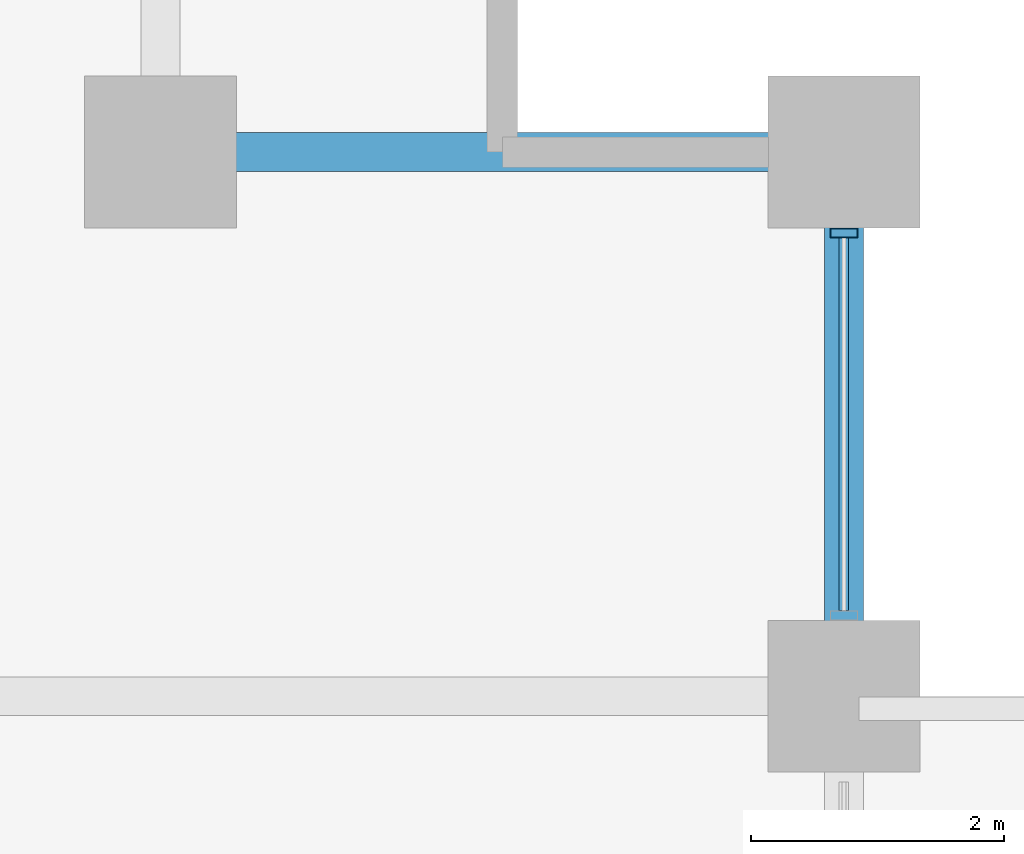
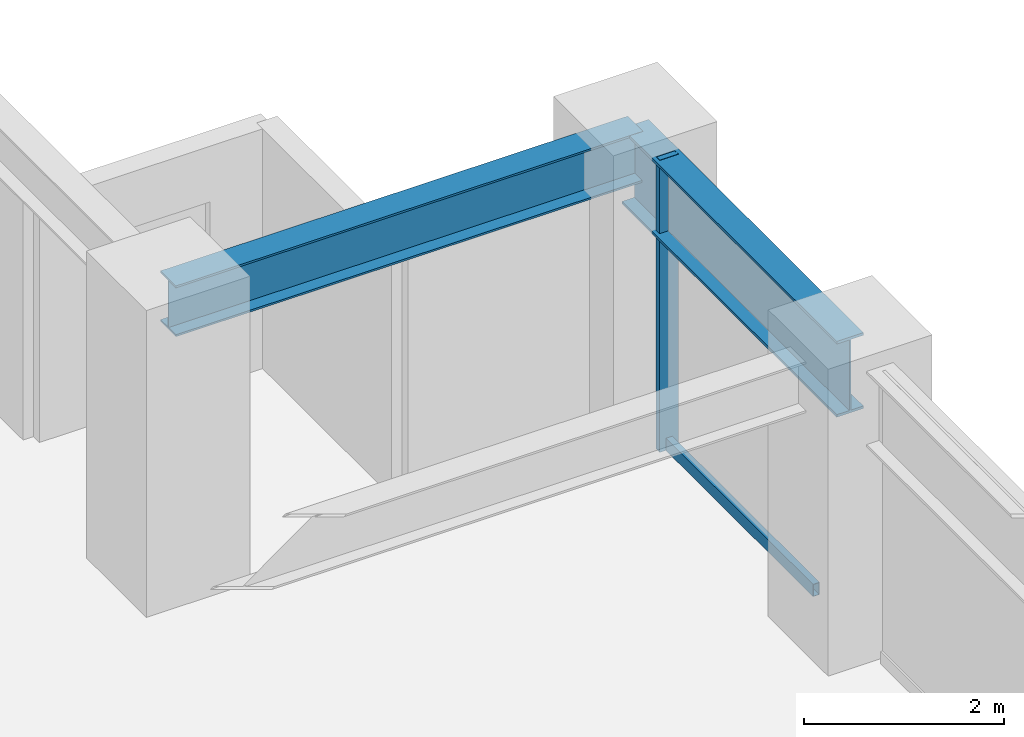
# One storey, part 17 of 26: 2 beams, 2 members, 1 element without a shape of its own.
"""IFC4 building model written with IfcOpenShell, lengths in metres."""

from ifc_helpers import new_model, si_unit, direction, frame, origin, origin_2d, place, context, subcontext, project, spatial, hollow_rectangle, i_section, extrude, material, layer, layer_set, material_profile, profile_set, type_object, element, aggregate, save


model = new_model("IFC4")

# Units and contexts
model_context = context("Model", 3, precision=1e-05, world=origin(), true_north=direction((0.0, 1.0)))
body_context = subcontext(model_context, "Body", "Model", "MODEL_VIEW")
ifc_project = project(units=[si_unit("LENGTHUNIT", "METRE"), si_unit("AREAUNIT", "SQUARE_METRE"), si_unit("VOLUMEUNIT", "CUBIC_METRE"), si_unit("PLANEANGLEUNIT", "RADIAN"), si_unit("MASSUNIT", "GRAM", prefix="KILO")], contexts=[model_context])

# Site, building, storey
site_placement = place(None, origin())
site = spatial("IfcSite", under=ifc_project, at=site_placement, CompositionType="ELEMENT")
building_placement = place(site_placement, origin())
building = spatial("IfcBuilding", under=site, at=building_placement, Name="Surkhivell Harbour Commons", CompositionType="ELEMENT")
storey_placement = place(building_placement, frame((0.0, 0.0, 71.25)))
storey = spatial("IfcBuildingStorey", under=building, at=storey_placement, Name="L18", CompositionType="ELEMENT", Elevation=71.25)

# Beams
ifc_material_1 = material(Name="Steel S355", Category="steel")
ifc_material_profile_1 = material_profile(ifc_material_1, i_section(OverallWidth=0.306884765625, OverallDepth=0.6201171875, WebThickness=0.01416015625, FlangeThickness=0.023681640625, at=origin_2d()), Name="UB610x305x179")
ifc_profile_set_1 = profile_set([ifc_material_profile_1], Name="Steel S355")
beam_type_1 = type_object("IfcBeamType", Name="BM-GRD-610A", PredefinedType="BEAM", material=ifc_profile_set_1)
beam_1_placement = place(storey_placement, frame((27.0, 20.5, 3.260009765625), z_axis=(1.0, 0.0, 0.0), x_axis=(0.0, 1.0, 0.0)))
element("IfcBeam", 1, at=beam_1_placement, inside=storey, type_object=beam_type_1, Name="L18 Floor Girder (27.0,20.5)", PredefinedType="BEAM", context=body_context, shape_type="SweptSolid", body=[
    extrude(i_section(OverallWidth=0.306884765625, OverallDepth=0.6201171875, WebThickness=0.01416015625, FlangeThickness=0.023681640625, at=origin_2d()), origin(), (0.0, 0.0, 1.0), 5.39990234375),
])
ifc_material_2 = material(Name="Steel S460", Category="steel")
ifc_material_profile_2 = material_profile(ifc_material_2, i_section(OverallWidth=0.30810546875, OverallDepth=0.927001953125, WebThickness=0.01953125, FlangeThickness=0.031982421875, at=origin_2d()), Name="UB914x305x289")
ifc_profile_set_2 = profile_set([ifc_material_profile_2], Name="Steel S460")
beam_type_2 = type_object("IfcBeamType", Name="BM-SPN-914B", PredefinedType="SPANDREL", material=ifc_profile_set_2)
beam_2_placement = place(storey_placement, frame((32.39990234375, 16.199951171875, 3.1064453125), z_axis=(0.0, 1.0, 0.0), x_axis=(-1.0, 0.0, 0.0)))
element("IfcBeam", 2, at=beam_2_placement, inside=storey, type_object=beam_type_2, Name="L18 Tube Spandrel (32.4,16.2)", PredefinedType="SPANDREL", context=body_context, shape_type="SweptSolid", body=[
    extrude(i_section(OverallWidth=0.30810546875, OverallDepth=0.927001953125, WebThickness=0.01953125, FlangeThickness=0.031982421875, at=origin_2d()), origin(), (0.0, 0.0, 1.0), 4.300048828125),
])

# Curtain wall, members
ifc_material_3 = material(Name="Anodised pale-metal aluminium and insulated glazing", Category="aluminium")
ifc_layer = layer(ifc_material_3, 0.219970703125)
ifc_layer_set = layer_set([ifc_layer], Name="Anodised pale-metal aluminium and insulated glazing")
curtain_wall_type = type_object("IfcCurtainWallType", Name="CW-SYS-Z1", PredefinedType="NOTDEFINED", material=ifc_layer_set)
curtain_wall_placement = place(storey_placement, origin())
curtain_wall = element("IfcCurtainWall", 3, at=curtain_wall_placement, inside=storey, type_object=curtain_wall_type, Name="L18 Curtain Wall CW-L18-E02", PredefinedType="NOTDEFINED")
ifc_material_4 = material(Name="Anodised pale-metal aluminium alloy 6063-T6", Category="aluminium")
ifc_material_profile_3 = material_profile(ifc_material_4, hollow_rectangle(XDim=0.074951171875, YDim=0.219970703125, WallThickness=0.00390625, at=origin_2d()), Name="ALU-MULL-75x220")
ifc_profile_set_3 = profile_set([ifc_material_profile_3], Name="Anodised pale-metal aluminium alloy 6063-T6")
member_type_1 = type_object("IfcMemberType", Name="CWM-220", PredefinedType="MULLION", material=ifc_profile_set_3)
member_1_placement = place(storey_placement, frame((32.39990234375, 19.860595703125, 0.0), z_axis=(0.0, 0.0, 1.0), x_axis=(0.0, 1.0, 0.0)))
member_1 = element("IfcMember", 4, at=member_1_placement, type_object=member_type_1, Name="CW-Z1 mullion 4", PredefinedType="MULLION", context=body_context, shape_type="SweptSolid", body=[
    extrude(hollow_rectangle(XDim=0.074951171875, YDim=0.219970703125, WallThickness=0.00390625, at=origin_2d()), origin(), (0.0, 0.0, 1.0), 3.570068359375),
])
ifc_material_profile_4 = material_profile(ifc_material_4, hollow_rectangle(XDim=0.074951171875, YDim=0.14990234375, WallThickness=0.00341796875, at=origin_2d()), Name="ALU-TRAN-75x150")
ifc_profile_set_4 = profile_set([ifc_material_profile_4], Name="Anodised pale-metal aluminium alloy 6063-T6")
member_type_2 = type_object("IfcMemberType", Name="CWT-150", PredefinedType="USERDEFINED", material=ifc_profile_set_4)
member_2_placement = place(storey_placement, frame((32.39990234375, 16.876953125, 0.074951171875), z_axis=(0.0, 1.0, 0.0), x_axis=(-1.0, 0.0, 0.0)))
member_2 = element("IfcMember", 5, at=member_2_placement, type_object=member_type_2, Name="CW-Z1 transom 3.1", ObjectType="TRANSOM", PredefinedType="USERDEFINED", context=body_context, shape_type="SweptSolid", body=[
    extrude(hollow_rectangle(XDim=0.074951171875, YDim=0.14990234375, WallThickness=0.00341796875, at=origin_2d()), origin(), (0.0, 0.0, 1.0), 2.946044921875),
])
aggregate(curtain_wall, [member_1, member_2])

save(model, "model.ifc")
